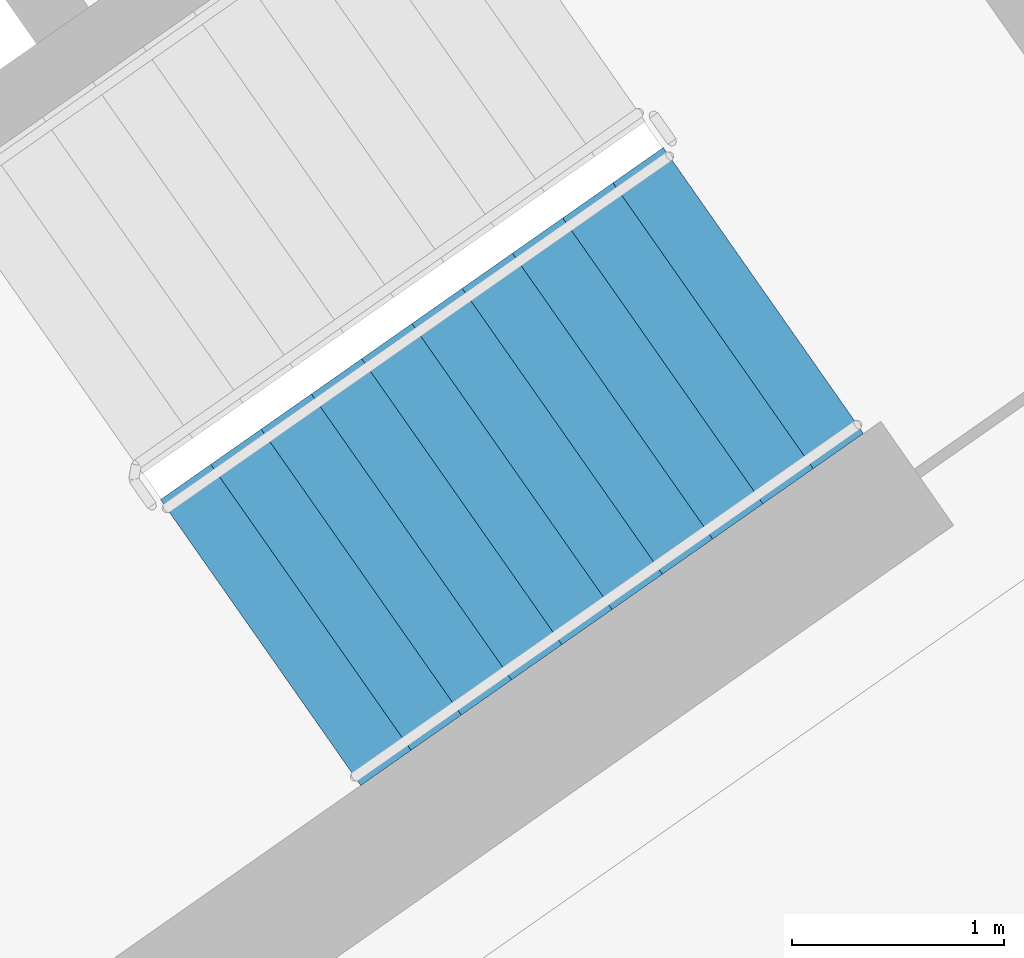
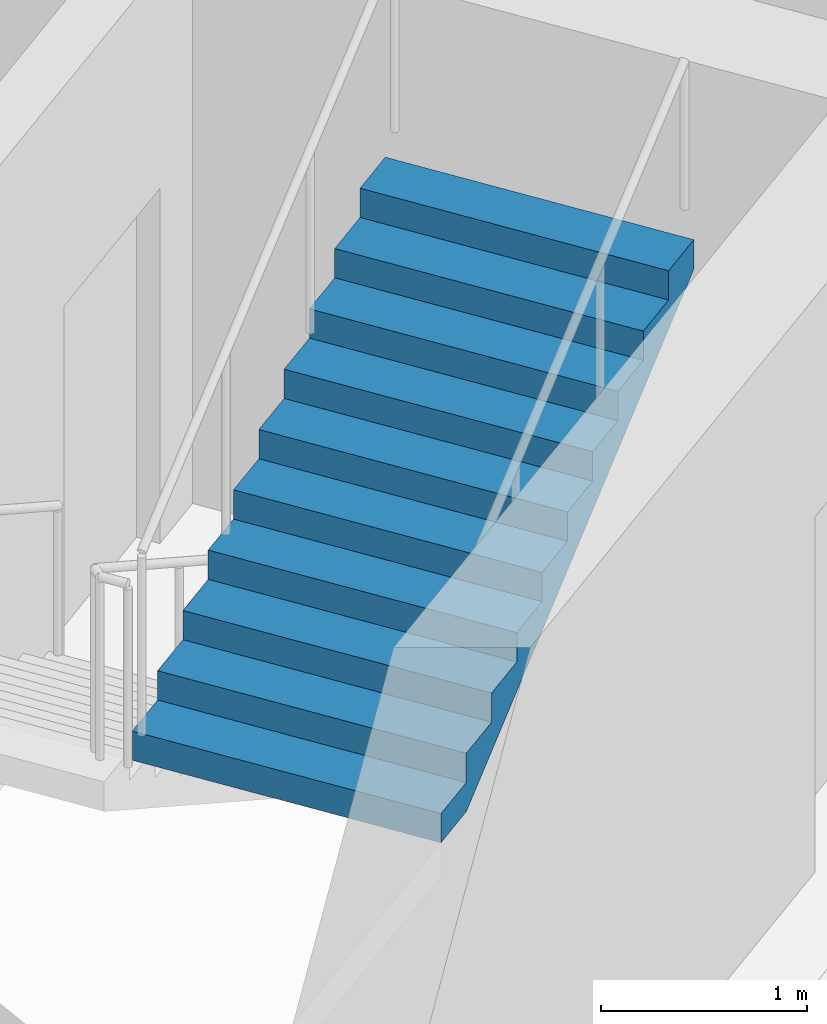
# One storey, part 13 of 27: 1 stair flight, 1 element without a shape of its own.
"""IFC4 building model written with IfcOpenShell, lengths in metres."""

from ifc_helpers import new_model, si_unit, direction, frame, origin, place, context, subcontext, project, spatial, faceted_brep, material, type_object, element, aggregate, save


model = new_model("IFC4")

# Units and contexts
model_context = context("Model", 3, precision=1e-05, world=origin(), true_north=direction((0.0, 1.0)))
body_context = subcontext(model_context, "Body", "Model", "MODEL_VIEW")
ifc_project = project(units=[si_unit("LENGTHUNIT", "METRE"), si_unit("AREAUNIT", "SQUARE_METRE"), si_unit("VOLUMEUNIT", "CUBIC_METRE"), si_unit("PLANEANGLEUNIT", "RADIAN"), si_unit("MASSUNIT", "GRAM", prefix="KILO")], contexts=[model_context])

# Site, building, storey
site_placement = place(None, origin())
site = spatial("IfcSite", under=ifc_project, at=site_placement, CompositionType="ELEMENT")
building_placement = place(site_placement, origin())
building = spatial("IfcBuilding", under=site, at=building_placement, Name="Qamariyya Broadcast Tower", CompositionType="ELEMENT")
storey_placement = place(building_placement, frame((0.0, 0.0, 280.89990234375)))
storey = spatial("IfcBuildingStorey", under=building, at=storey_placement, Name="L68", CompositionType="ELEMENT", Elevation=280.89990234375)

# Stair, stair flight
ifc_material = material(Name="Concrete C50/60", Category="concrete")
stair_type = type_object("IfcStairType", Name="Exit stair 22 risers of 173 mm", PredefinedType="HALF_TURN_STAIR", material=ifc_material)
stair_placement = place(storey_placement, origin())
stair = element("IfcStair", 1, at=stair_placement, inside=storey, type_object=stair_type, Name="L68 Stair E1", PredefinedType="HALF_TURN_STAIR")
stair_flight_type = type_object("IfcStairFlightType", Name="Exit stair flight 11 risers of 173 mm", PredefinedType="STRAIGHT", material=ifc_material)
stair_flight_placement = place(storey_placement, frame((44.693359375, -58.64599609375, 1.900146484375), z_axis=(0.0, 0.0, 1.0), x_axis=(0.819152044289, 0.573576436351, 0.0)))
stair_flight = element("IfcStairFlight", 2, at=stair_flight_placement, type_object=stair_flight_type, Name="ST-E1 flight 2", NumberOfRisers=11, NumberOfTreads=10, PredefinedType="STRAIGHT", RiserHeight=0.172727273, TreadLength=0.29, context=body_context, shape_type="Brep", body=[
    faceted_brep([(0.0, 0.824951171875, 0.0), (0.0, 0.824951171875, 0.172607421875), (0.2900390625, 0.824951171875, 0.172607421875), (0.2900390625, 0.824951171875, 0.345458984375), (0.580078125, 0.824951171875, 0.345458984375), (0.580078125, 0.824951171875, 0.51806640625), (0.8701171875, 0.824951171875, 0.51806640625), (0.8701171875, 0.824951171875, 0.69091796875), (1.159912109375, 0.824951171875, 0.69091796875), (1.159912109375, 0.824951171875, 0.863525390625), (1.449951171875, 0.824951171875, 0.863525390625), (1.449951171875, 0.824951171875, 1.036376953125), (1.739990234375, 0.824951171875, 1.036376953125), (1.739990234375, 0.824951171875, 1.208984375), (2.030029296875, 0.824951171875, 1.208984375), (2.030029296875, 0.824951171875, 1.3818359375), (2.320068359375, 0.824951171875, 1.3818359375), (2.320068359375, 0.824951171875, 1.554443359375), (2.610107421875, 0.824951171875, 1.554443359375), (2.610107421875, 0.824951171875, 1.727294921875), (2.89990234375, 0.824951171875, 1.727294921875), (2.89990234375, 0.824951171875, 1.552734375), (0.29296875, 0.824951171875, 0.0), (0.29296875, -0.824951171875, 0.0), (2.89990234375, -0.824951171875, 1.552734375), (2.89990234375, -0.824951171875, 1.727294921875), (2.610107421875, -0.824951171875, 1.727294921875), (2.610107421875, -0.824951171875, 1.554443359375), (2.320068359375, -0.824951171875, 1.554443359375), (2.320068359375, -0.824951171875, 1.3818359375), (2.030029296875, -0.824951171875, 1.3818359375), (2.030029296875, -0.824951171875, 1.208984375), (1.739990234375, -0.824951171875, 1.208984375), (1.739990234375, -0.824951171875, 1.036376953125), (1.449951171875, -0.824951171875, 1.036376953125), (1.449951171875, -0.824951171875, 0.863525390625), (1.159912109375, -0.824951171875, 0.863525390625), (1.159912109375, -0.824951171875, 0.69091796875), (0.8701171875, -0.824951171875, 0.69091796875), (0.8701171875, -0.824951171875, 0.51806640625), (0.580078125, -0.824951171875, 0.51806640625), (0.580078125, -0.824951171875, 0.345458984375), (0.2900390625, -0.824951171875, 0.345458984375), (0.2900390625, -0.824951171875, 0.172607421875), (0.0, -0.824951171875, 0.172607421875), (0.0, -0.824951171875, 0.0), (0.0, 0.10009765625, 0.0), (0.0, 0.086669921875, 0.0), (0.0, 0.0732421875, 0.0), (0.0, 0.06005859375, 0.0), (0.0, 0.046630859375, 0.0), (0.0, 0.033447265625, 0.0), (0.0, 0.02001953125, 0.0), (0.0, 0.006591796875, 0.0), (0.0, -0.006591796875, 0.0), (0.0, -0.02001953125, 0.0), (0.0, -0.033447265625, 0.0), (0.0, -0.046630859375, 0.0), (0.0, -0.06005859375, 0.0), (0.0, -0.0732421875, 0.0), (0.0, -0.086669921875, 0.0), (0.0, -0.10009765625, 0.0), (0.0, -0.10009765625, 0.172607421875), (0.0, -0.086669921875, 0.172607421875), (0.0, -0.0732421875, 0.172607421875), (0.0, -0.06005859375, 0.172607421875), (0.0, -0.046630859375, 0.172607421875), (0.0, -0.033447265625, 0.172607421875), (0.0, -0.02001953125, 0.172607421875), (0.0, -0.006591796875, 0.172607421875), (0.0, 0.006591796875, 0.172607421875), (0.0, 0.02001953125, 0.172607421875), (0.0, 0.033447265625, 0.172607421875), (0.0, 0.046630859375, 0.172607421875), (0.0, 0.06005859375, 0.172607421875), (0.0, 0.0732421875, 0.172607421875), (0.0, 0.086669921875, 0.172607421875), (0.0, 0.10009765625, 0.172607421875), (0.2900390625, -0.10009765625, 0.172607421875), (0.2900390625, -0.086669921875, 0.172607421875), (0.2900390625, -0.0732421875, 0.172607421875), (0.2900390625, -0.06005859375, 0.172607421875), (0.2900390625, -0.046630859375, 0.172607421875), (0.2900390625, -0.033447265625, 0.172607421875), (0.2900390625, -0.02001953125, 0.172607421875), (0.2900390625, -0.006591796875, 0.172607421875), (0.2900390625, 0.006591796875, 0.172607421875), (0.2900390625, 0.02001953125, 0.172607421875), (0.2900390625, 0.033447265625, 0.172607421875), (0.2900390625, 0.046630859375, 0.172607421875), (0.2900390625, 0.06005859375, 0.172607421875), (0.2900390625, 0.0732421875, 0.172607421875), (0.2900390625, 0.086669921875, 0.172607421875), (0.2900390625, 0.10009765625, 0.172607421875), (0.2900390625, -0.10009765625, 0.345458984375), (0.2900390625, -0.086669921875, 0.345458984375), (0.2900390625, -0.0732421875, 0.345458984375), (0.2900390625, -0.06005859375, 0.345458984375), (0.2900390625, -0.046630859375, 0.345458984375), (0.2900390625, -0.033447265625, 0.345458984375), (0.2900390625, -0.02001953125, 0.345458984375), (0.2900390625, -0.006591796875, 0.345458984375), (0.2900390625, 0.006591796875, 0.345458984375), (0.2900390625, 0.02001953125, 0.345458984375), (0.2900390625, 0.033447265625, 0.345458984375), (0.2900390625, 0.046630859375, 0.345458984375), (0.2900390625, 0.06005859375, 0.345458984375), (0.2900390625, 0.0732421875, 0.345458984375), (0.2900390625, 0.086669921875, 0.345458984375), (0.2900390625, 0.10009765625, 0.345458984375), (0.580078125, -0.10009765625, 0.345458984375), (0.580078125, -0.086669921875, 0.345458984375), (0.580078125, -0.0732421875, 0.345458984375), (0.580078125, -0.06005859375, 0.345458984375), (0.580078125, -0.046630859375, 0.345458984375), (0.580078125, -0.033447265625, 0.345458984375), (0.580078125, -0.02001953125, 0.345458984375), (0.580078125, -0.006591796875, 0.345458984375), (0.580078125, 0.006591796875, 0.345458984375), (0.580078125, 0.02001953125, 0.345458984375), (0.580078125, 0.033447265625, 0.345458984375), (0.580078125, 0.046630859375, 0.345458984375), (0.580078125, 0.06005859375, 0.345458984375), (0.580078125, 0.0732421875, 0.345458984375), (0.580078125, 0.086669921875, 0.345458984375), (0.580078125, 0.10009765625, 0.345458984375), (0.580078125, -0.10009765625, 0.51806640625), (0.580078125, -0.086669921875, 0.51806640625), (0.580078125, -0.0732421875, 0.51806640625), (0.580078125, -0.06005859375, 0.51806640625), (0.580078125, -0.046630859375, 0.51806640625), (0.580078125, -0.033447265625, 0.51806640625), (0.580078125, -0.02001953125, 0.51806640625), (0.580078125, -0.006591796875, 0.51806640625), (0.580078125, 0.006591796875, 0.51806640625), (0.580078125, 0.02001953125, 0.51806640625), (0.580078125, 0.033447265625, 0.51806640625), (0.580078125, 0.046630859375, 0.51806640625), (0.580078125, 0.06005859375, 0.51806640625), (0.580078125, 0.0732421875, 0.51806640625), (0.580078125, 0.086669921875, 0.51806640625), (0.580078125, 0.10009765625, 0.51806640625), (0.8701171875, -0.10009765625, 0.51806640625), (0.8701171875, -0.086669921875, 0.51806640625), (0.8701171875, -0.0732421875, 0.51806640625), (0.8701171875, -0.06005859375, 0.51806640625), (0.8701171875, -0.046630859375, 0.51806640625), (0.8701171875, -0.033447265625, 0.51806640625), (0.8701171875, -0.02001953125, 0.51806640625), (0.8701171875, -0.006591796875, 0.51806640625), (0.8701171875, 0.006591796875, 0.51806640625), (0.8701171875, 0.02001953125, 0.51806640625), (0.8701171875, 0.033447265625, 0.51806640625), (0.8701171875, 0.046630859375, 0.51806640625), (0.8701171875, 0.06005859375, 0.51806640625), (0.8701171875, 0.0732421875, 0.51806640625), (0.8701171875, 0.086669921875, 0.51806640625), (0.8701171875, 0.10009765625, 0.51806640625), (0.8701171875, -0.10009765625, 0.69091796875), (0.8701171875, -0.086669921875, 0.69091796875), (0.8701171875, -0.0732421875, 0.69091796875), (0.8701171875, -0.06005859375, 0.69091796875), (0.8701171875, -0.046630859375, 0.69091796875), (0.8701171875, -0.033447265625, 0.69091796875), (0.8701171875, -0.02001953125, 0.69091796875), (0.8701171875, -0.006591796875, 0.69091796875), (0.8701171875, 0.006591796875, 0.69091796875), (0.8701171875, 0.02001953125, 0.69091796875), (0.8701171875, 0.033447265625, 0.69091796875), (0.8701171875, 0.046630859375, 0.69091796875), (0.8701171875, 0.06005859375, 0.69091796875), (0.8701171875, 0.0732421875, 0.69091796875), (0.8701171875, 0.086669921875, 0.69091796875), (0.8701171875, 0.10009765625, 0.69091796875), (1.159912109375, -0.10009765625, 0.69091796875), (1.159912109375, -0.086669921875, 0.69091796875), (1.159912109375, -0.0732421875, 0.69091796875), (1.159912109375, -0.06005859375, 0.69091796875), (1.159912109375, -0.046630859375, 0.69091796875), (1.159912109375, -0.033447265625, 0.69091796875), (1.159912109375, -0.02001953125, 0.69091796875), (1.159912109375, -0.006591796875, 0.69091796875), (1.159912109375, 0.006591796875, 0.69091796875), (1.159912109375, 0.02001953125, 0.69091796875), (1.159912109375, 0.033447265625, 0.69091796875), (1.159912109375, 0.046630859375, 0.69091796875), (1.159912109375, 0.06005859375, 0.69091796875), (1.159912109375, 0.0732421875, 0.69091796875), (1.159912109375, 0.086669921875, 0.69091796875), (1.159912109375, 0.10009765625, 0.69091796875), (1.159912109375, -0.10009765625, 0.863525390625), (1.159912109375, -0.086669921875, 0.863525390625), (1.159912109375, -0.0732421875, 0.863525390625), (1.159912109375, -0.06005859375, 0.863525390625), (1.159912109375, -0.046630859375, 0.863525390625), (1.159912109375, -0.033447265625, 0.863525390625), (1.159912109375, -0.02001953125, 0.863525390625), (1.159912109375, -0.006591796875, 0.863525390625), (1.159912109375, 0.006591796875, 0.863525390625), (1.159912109375, 0.02001953125, 0.863525390625), (1.159912109375, 0.033447265625, 0.863525390625), (1.159912109375, 0.046630859375, 0.863525390625), (1.159912109375, 0.06005859375, 0.863525390625), (1.159912109375, 0.0732421875, 0.863525390625), (1.159912109375, 0.086669921875, 0.863525390625), (1.159912109375, 0.10009765625, 0.863525390625), (1.449951171875, -0.10009765625, 0.863525390625), (1.449951171875, -0.086669921875, 0.863525390625), (1.449951171875, -0.0732421875, 0.863525390625), (1.449951171875, -0.06005859375, 0.863525390625), (1.449951171875, -0.046630859375, 0.863525390625), (1.449951171875, -0.033447265625, 0.863525390625), (1.449951171875, -0.02001953125, 0.863525390625), (1.449951171875, -0.006591796875, 0.863525390625), (1.449951171875, 0.006591796875, 0.863525390625), (1.449951171875, 0.02001953125, 0.863525390625), (1.449951171875, 0.033447265625, 0.863525390625), (1.449951171875, 0.046630859375, 0.863525390625), (1.449951171875, 0.06005859375, 0.863525390625), (1.449951171875, 0.0732421875, 0.863525390625), (1.449951171875, 0.086669921875, 0.863525390625), (1.449951171875, 0.10009765625, 0.863525390625), (1.449951171875, -0.10009765625, 1.036376953125), (1.449951171875, -0.086669921875, 1.036376953125), (1.449951171875, -0.0732421875, 1.036376953125), (1.449951171875, -0.06005859375, 1.036376953125), (1.449951171875, -0.046630859375, 1.036376953125), (1.449951171875, -0.033447265625, 1.036376953125), (1.449951171875, -0.02001953125, 1.036376953125), (1.449951171875, -0.006591796875, 1.036376953125), (1.449951171875, 0.006591796875, 1.036376953125), (1.449951171875, 0.02001953125, 1.036376953125), (1.449951171875, 0.033447265625, 1.036376953125), (1.449951171875, 0.046630859375, 1.036376953125), (1.449951171875, 0.06005859375, 1.036376953125), (1.449951171875, 0.0732421875, 1.036376953125), (1.449951171875, 0.086669921875, 1.036376953125), (1.449951171875, 0.10009765625, 1.036376953125), (1.739990234375, -0.10009765625, 1.036376953125), (1.739990234375, -0.086669921875, 1.036376953125), (1.739990234375, -0.0732421875, 1.036376953125), (1.739990234375, -0.06005859375, 1.036376953125), (1.739990234375, -0.046630859375, 1.036376953125), (1.739990234375, -0.033447265625, 1.036376953125), (1.739990234375, -0.02001953125, 1.036376953125), (1.739990234375, -0.006591796875, 1.036376953125), (1.739990234375, 0.006591796875, 1.036376953125), (1.739990234375, 0.02001953125, 1.036376953125), (1.739990234375, 0.033447265625, 1.036376953125), (1.739990234375, 0.046630859375, 1.036376953125), (1.739990234375, 0.06005859375, 1.036376953125), (1.739990234375, 0.0732421875, 1.036376953125), (1.739990234375, 0.086669921875, 1.036376953125), (1.739990234375, 0.10009765625, 1.036376953125), (1.739990234375, -0.10009765625, 1.208984375), (1.739990234375, -0.086669921875, 1.208984375), (1.739990234375, -0.0732421875, 1.208984375), (1.739990234375, -0.06005859375, 1.208984375), (1.739990234375, -0.046630859375, 1.208984375), (1.739990234375, -0.033447265625, 1.208984375), (1.739990234375, -0.02001953125, 1.208984375), (1.739990234375, -0.006591796875, 1.208984375), (1.739990234375, 0.006591796875, 1.208984375), (1.739990234375, 0.02001953125, 1.208984375), (1.739990234375, 0.033447265625, 1.208984375), (1.739990234375, 0.046630859375, 1.208984375), (1.739990234375, 0.06005859375, 1.208984375), (1.739990234375, 0.0732421875, 1.208984375), (1.739990234375, 0.086669921875, 1.208984375), (1.739990234375, 0.10009765625, 1.208984375), (2.030029296875, -0.10009765625, 1.208984375), (2.030029296875, -0.086669921875, 1.208984375), (2.030029296875, -0.0732421875, 1.208984375), (2.030029296875, -0.06005859375, 1.208984375), (2.030029296875, -0.046630859375, 1.208984375), (2.030029296875, -0.033447265625, 1.208984375), (2.030029296875, -0.02001953125, 1.208984375), (2.030029296875, -0.006591796875, 1.208984375), (2.030029296875, 0.006591796875, 1.208984375), (2.030029296875, 0.02001953125, 1.208984375), (2.030029296875, 0.033447265625, 1.208984375), (2.030029296875, 0.046630859375, 1.208984375), (2.030029296875, 0.06005859375, 1.208984375), (2.030029296875, 0.0732421875, 1.208984375), (2.030029296875, 0.086669921875, 1.208984375), (2.030029296875, 0.10009765625, 1.208984375), (2.030029296875, -0.10009765625, 1.3818359375), (2.030029296875, -0.086669921875, 1.3818359375), (2.030029296875, -0.0732421875, 1.3818359375), (2.030029296875, -0.06005859375, 1.3818359375), (2.030029296875, -0.046630859375, 1.3818359375), (2.030029296875, -0.033447265625, 1.3818359375), (2.030029296875, -0.02001953125, 1.3818359375), (2.030029296875, -0.006591796875, 1.3818359375), (2.030029296875, 0.006591796875, 1.3818359375), (2.030029296875, 0.02001953125, 1.3818359375), (2.030029296875, 0.033447265625, 1.3818359375), (2.030029296875, 0.046630859375, 1.3818359375), (2.030029296875, 0.06005859375, 1.3818359375), (2.030029296875, 0.0732421875, 1.3818359375), (2.030029296875, 0.086669921875, 1.3818359375), (2.030029296875, 0.10009765625, 1.3818359375), (2.320068359375, -0.10009765625, 1.3818359375), (2.320068359375, -0.086669921875, 1.3818359375), (2.320068359375, -0.0732421875, 1.3818359375), (2.320068359375, -0.06005859375, 1.3818359375), (2.320068359375, -0.046630859375, 1.3818359375), (2.320068359375, -0.033447265625, 1.3818359375), (2.320068359375, -0.02001953125, 1.3818359375), (2.320068359375, -0.006591796875, 1.3818359375), (2.320068359375, 0.006591796875, 1.3818359375), (2.320068359375, 0.02001953125, 1.3818359375), (2.320068359375, 0.033447265625, 1.3818359375), (2.320068359375, 0.046630859375, 1.3818359375), (2.320068359375, 0.06005859375, 1.3818359375), (2.320068359375, 0.0732421875, 1.3818359375), (2.320068359375, 0.086669921875, 1.3818359375), (2.320068359375, 0.10009765625, 1.3818359375), (2.320068359375, -0.10009765625, 1.554443359375), (2.320068359375, -0.086669921875, 1.554443359375), (2.320068359375, -0.0732421875, 1.554443359375), (2.320068359375, -0.06005859375, 1.554443359375), (2.320068359375, -0.046630859375, 1.554443359375), (2.320068359375, -0.033447265625, 1.554443359375), (2.320068359375, -0.02001953125, 1.554443359375), (2.320068359375, -0.006591796875, 1.554443359375), (2.320068359375, 0.006591796875, 1.554443359375), (2.320068359375, 0.02001953125, 1.554443359375), (2.320068359375, 0.033447265625, 1.554443359375), (2.320068359375, 0.046630859375, 1.554443359375), (2.320068359375, 0.06005859375, 1.554443359375), (2.320068359375, 0.0732421875, 1.554443359375), (2.320068359375, 0.086669921875, 1.554443359375), (2.320068359375, 0.10009765625, 1.554443359375), (2.610107421875, -0.10009765625, 1.554443359375), (2.610107421875, -0.086669921875, 1.554443359375), (2.610107421875, -0.0732421875, 1.554443359375), (2.610107421875, -0.06005859375, 1.554443359375), (2.610107421875, -0.046630859375, 1.554443359375), (2.610107421875, -0.033447265625, 1.554443359375), (2.610107421875, -0.02001953125, 1.554443359375), (2.610107421875, -0.006591796875, 1.554443359375), (2.610107421875, 0.006591796875, 1.554443359375), (2.610107421875, 0.02001953125, 1.554443359375), (2.610107421875, 0.033447265625, 1.554443359375), (2.610107421875, 0.046630859375, 1.554443359375), (2.610107421875, 0.06005859375, 1.554443359375), (2.610107421875, 0.0732421875, 1.554443359375), (2.610107421875, 0.086669921875, 1.554443359375), (2.610107421875, 0.10009765625, 1.554443359375), (2.610107421875, -0.10009765625, 1.727294921875), (2.610107421875, -0.086669921875, 1.727294921875), (2.610107421875, -0.0732421875, 1.727294921875), (2.610107421875, -0.06005859375, 1.727294921875), (2.610107421875, -0.046630859375, 1.727294921875), (2.610107421875, -0.033447265625, 1.727294921875), (2.610107421875, -0.02001953125, 1.727294921875), (2.610107421875, -0.006591796875, 1.727294921875), (2.610107421875, 0.006591796875, 1.727294921875), (2.610107421875, 0.02001953125, 1.727294921875), (2.610107421875, 0.033447265625, 1.727294921875), (2.610107421875, 0.046630859375, 1.727294921875), (2.610107421875, 0.06005859375, 1.727294921875), (2.610107421875, 0.0732421875, 1.727294921875), (2.610107421875, 0.086669921875, 1.727294921875), (2.610107421875, 0.10009765625, 1.727294921875), (2.89990234375, -0.10009765625, 1.727294921875), (2.89990234375, -0.086669921875, 1.727294921875), (2.89990234375, -0.0732421875, 1.727294921875), (2.89990234375, -0.06005859375, 1.727294921875), (2.89990234375, -0.046630859375, 1.727294921875), (2.89990234375, -0.033447265625, 1.727294921875), (2.89990234375, -0.02001953125, 1.727294921875), (2.89990234375, -0.006591796875, 1.727294921875), (2.89990234375, 0.006591796875, 1.727294921875), (2.89990234375, 0.02001953125, 1.727294921875), (2.89990234375, 0.033447265625, 1.727294921875), (2.89990234375, 0.046630859375, 1.727294921875), (2.89990234375, 0.06005859375, 1.727294921875), (2.89990234375, 0.0732421875, 1.727294921875), (2.89990234375, 0.086669921875, 1.727294921875), (2.89990234375, 0.10009765625, 1.727294921875), (2.89990234375, -0.10009765625, 1.552734375), (2.89990234375, -0.086669921875, 1.552734375), (2.89990234375, -0.0732421875, 1.552734375), (2.89990234375, -0.06005859375, 1.552734375), (2.89990234375, -0.046630859375, 1.552734375), (2.89990234375, -0.033447265625, 1.552734375), (2.89990234375, -0.02001953125, 1.552734375), (2.89990234375, -0.006591796875, 1.552734375), (2.89990234375, 0.006591796875, 1.552734375), (2.89990234375, 0.02001953125, 1.552734375), (2.89990234375, 0.033447265625, 1.552734375), (2.89990234375, 0.046630859375, 1.552734375), (2.89990234375, 0.06005859375, 1.552734375), (2.89990234375, 0.0732421875, 1.552734375), (2.89990234375, 0.086669921875, 1.552734375), (2.89990234375, 0.10009765625, 1.552734375), (0.29296875, -0.10009765625, 0.0), (0.29296875, -0.086669921875, 0.0), (0.29296875, -0.0732421875, 0.0), (0.29296875, -0.06005859375, 0.0), (0.29296875, -0.046630859375, 0.0), (0.29296875, -0.033447265625, 0.0), (0.29296875, -0.02001953125, 0.0), (0.29296875, -0.006591796875, 0.0), (0.29296875, 0.006591796875, 0.0), (0.29296875, 0.02001953125, 0.0), (0.29296875, 0.033447265625, 0.0), (0.29296875, 0.046630859375, 0.0), (0.29296875, 0.06005859375, 0.0), (0.29296875, 0.0732421875, 0.0), (0.29296875, 0.086669921875, 0.0), (0.29296875, 0.10009765625, 0.0)], [[[0, 1, 2, 3, 4, 5, 6, 7, 8, 9, 10, 11, 12, 13, 14, 15, 16, 17, 18, 19, 20, 21, 22]], [[23, 24, 25, 26, 27, 28, 29, 30, 31, 32, 33, 34, 35, 36, 37, 38, 39, 40, 41, 42, 43, 44, 45]], [[0, 46, 47, 48, 49, 50, 51, 52, 53, 54, 55, 56, 57, 58, 59, 60, 61, 45, 44, 62, 63, 64, 65, 66, 67, 68, 69, 70, 71, 72, 73, 74, 75, 76, 77, 1]], [[1, 77, 76, 75, 74, 73, 72, 71, 70, 69, 68, 67, 66, 65, 64, 63, 62, 44, 43, 78, 79, 80, 81, 82, 83, 84, 85, 86, 87, 88, 89, 90, 91, 92, 93, 2]], [[2, 93, 92, 91, 90, 89, 88, 87, 86, 85, 84, 83, 82, 81, 80, 79, 78, 43, 42, 94, 95, 96, 97, 98, 99, 100, 101, 102, 103, 104, 105, 106, 107, 108, 109, 3]], [[3, 109, 108, 107, 106, 105, 104, 103, 102, 101, 100, 99, 98, 97, 96, 95, 94, 42, 41, 110, 111, 112, 113, 114, 115, 116, 117, 118, 119, 120, 121, 122, 123, 124, 125, 4]], [[4, 125, 124, 123, 122, 121, 120, 119, 118, 117, 116, 115, 114, 113, 112, 111, 110, 41, 40, 126, 127, 128, 129, 130, 131, 132, 133, 134, 135, 136, 137, 138, 139, 140, 141, 5]], [[5, 141, 140, 139, 138, 137, 136, 135, 134, 133, 132, 131, 130, 129, 128, 127, 126, 40, 39, 142, 143, 144, 145, 146, 147, 148, 149, 150, 151, 152, 153, 154, 155, 156, 157, 6]], [[6, 157, 156, 155, 154, 153, 152, 151, 150, 149, 148, 147, 146, 145, 144, 143, 142, 39, 38, 158, 159, 160, 161, 162, 163, 164, 165, 166, 167, 168, 169, 170, 171, 172, 173, 7]], [[7, 173, 172, 171, 170, 169, 168, 167, 166, 165, 164, 163, 162, 161, 160, 159, 158, 38, 37, 174, 175, 176, 177, 178, 179, 180, 181, 182, 183, 184, 185, 186, 187, 188, 189, 8]], [[8, 189, 188, 187, 186, 185, 184, 183, 182, 181, 180, 179, 178, 177, 176, 175, 174, 37, 36, 190, 191, 192, 193, 194, 195, 196, 197, 198, 199, 200, 201, 202, 203, 204, 205, 9]], [[9, 205, 204, 203, 202, 201, 200, 199, 198, 197, 196, 195, 194, 193, 192, 191, 190, 36, 35, 206, 207, 208, 209, 210, 211, 212, 213, 214, 215, 216, 217, 218, 219, 220, 221, 10]], [[10, 221, 220, 219, 218, 217, 216, 215, 214, 213, 212, 211, 210, 209, 208, 207, 206, 35, 34, 222, 223, 224, 225, 226, 227, 228, 229, 230, 231, 232, 233, 234, 235, 236, 237, 11]], [[11, 237, 236, 235, 234, 233, 232, 231, 230, 229, 228, 227, 226, 225, 224, 223, 222, 34, 33, 238, 239, 240, 241, 242, 243, 244, 245, 246, 247, 248, 249, 250, 251, 252, 253, 12]], [[12, 253, 252, 251, 250, 249, 248, 247, 246, 245, 244, 243, 242, 241, 240, 239, 238, 33, 32, 254, 255, 256, 257, 258, 259, 260, 261, 262, 263, 264, 265, 266, 267, 268, 269, 13]], [[13, 269, 268, 267, 266, 265, 264, 263, 262, 261, 260, 259, 258, 257, 256, 255, 254, 32, 31, 270, 271, 272, 273, 274, 275, 276, 277, 278, 279, 280, 281, 282, 283, 284, 285, 14]], [[14, 285, 284, 283, 282, 281, 280, 279, 278, 277, 276, 275, 274, 273, 272, 271, 270, 31, 30, 286, 287, 288, 289, 290, 291, 292, 293, 294, 295, 296, 297, 298, 299, 300, 301, 15]], [[15, 301, 300, 299, 298, 297, 296, 295, 294, 293, 292, 291, 290, 289, 288, 287, 286, 30, 29, 302, 303, 304, 305, 306, 307, 308, 309, 310, 311, 312, 313, 314, 315, 316, 317, 16]], [[16, 317, 316, 315, 314, 313, 312, 311, 310, 309, 308, 307, 306, 305, 304, 303, 302, 29, 28, 318, 319, 320, 321, 322, 323, 324, 325, 326, 327, 328, 329, 330, 331, 332, 333, 17]], [[17, 333, 332, 331, 330, 329, 328, 327, 326, 325, 324, 323, 322, 321, 320, 319, 318, 28, 27, 334, 335, 336, 337, 338, 339, 340, 341, 342, 343, 344, 345, 346, 347, 348, 349, 18]], [[18, 349, 348, 347, 346, 345, 344, 343, 342, 341, 340, 339, 338, 337, 336, 335, 334, 27, 26, 350, 351, 352, 353, 354, 355, 356, 357, 358, 359, 360, 361, 362, 363, 364, 365, 19]], [[19, 365, 364, 363, 362, 361, 360, 359, 358, 357, 356, 355, 354, 353, 352, 351, 350, 26, 25, 366, 367, 368, 369, 370, 371, 372, 373, 374, 375, 376, 377, 378, 379, 380, 381, 20]], [[20, 381, 380, 379, 378, 377, 376, 375, 374, 373, 372, 371, 370, 369, 368, 367, 366, 25, 24, 382, 383, 384, 385, 386, 387, 388, 389, 390, 391, 392, 393, 394, 395, 396, 397, 21]], [[21, 397, 396, 395, 394, 393, 392, 391, 390, 389, 388, 387, 386, 385, 384, 383, 382, 24, 23, 398, 399, 400, 401, 402, 403, 404, 405, 406, 407, 408, 409, 410, 411, 412, 413, 22]], [[22, 413, 412, 411, 410, 409, 408, 407, 406, 405, 404, 403, 402, 401, 400, 399, 398, 23, 45, 61, 60, 59, 58, 57, 56, 55, 54, 53, 52, 51, 50, 49, 48, 47, 46, 0]]]),
])
aggregate(stair, [stair_flight])

save(model, "model.ifc")
